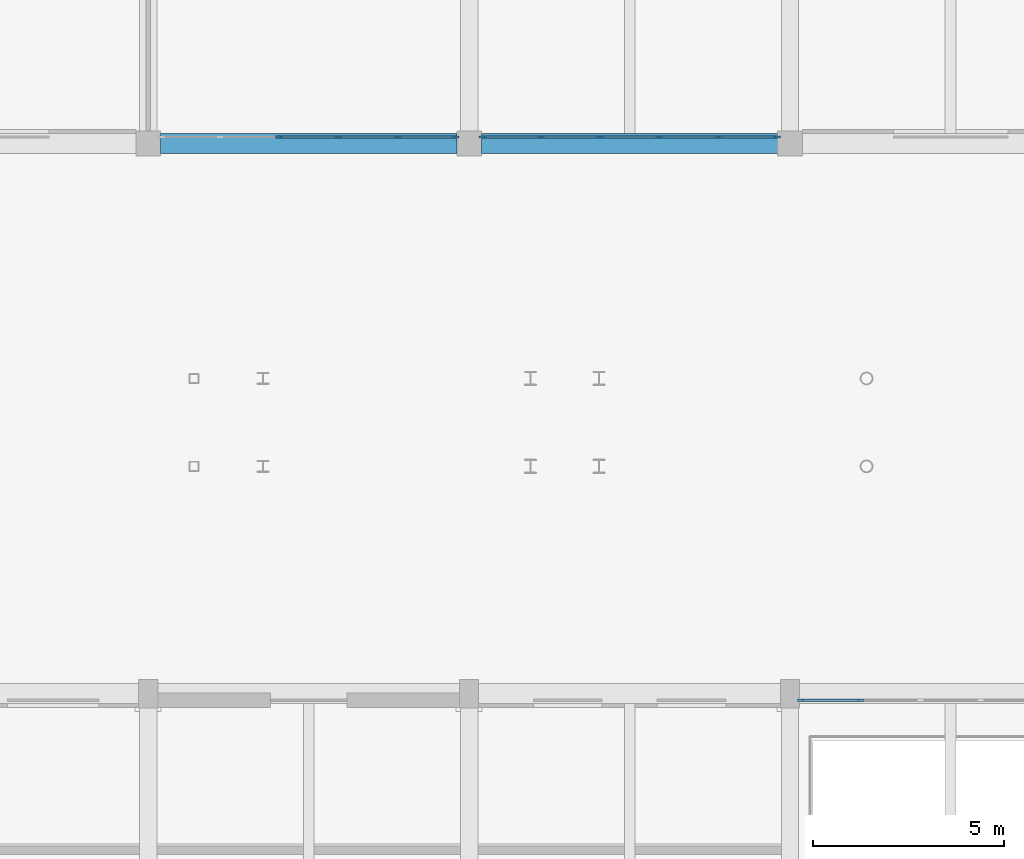
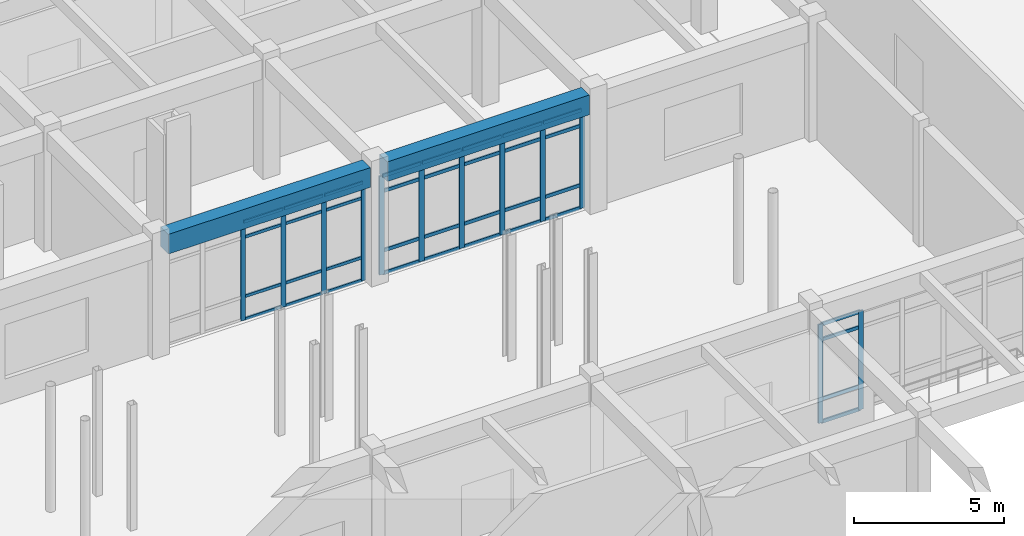
# One storey, part 53 of 121: 48 members, 2 beams, 3 elements without a shape of their own.
"""IFC4 building model written with IfcOpenShell, lengths in metres."""

from ifc_helpers import new_model, si_unit, direction, frame, origin, origin_2d, place, context, subcontext, project, spatial, rectangle, extrude, material, material_profile, profile_set, type_object, element, aggregate, save


model = new_model("IFC4")

# Units and contexts
model_context = context("Model", 3, precision=1e-05, world=origin(), true_north=direction((0.0, 1.0)))
body_context = subcontext(model_context, "Body", "Model", "MODEL_VIEW")
ifc_project = project(units=[si_unit("LENGTHUNIT", "METRE"), si_unit("AREAUNIT", "SQUARE_METRE"), si_unit("VOLUMEUNIT", "CUBIC_METRE"), si_unit("PLANEANGLEUNIT", "RADIAN"), si_unit("MASSUNIT", "GRAM", prefix="KILO")], contexts=[model_context])

# Site, building, storey
site_placement = place(None, origin())
site = spatial("IfcSite", under=ifc_project, at=site_placement, CompositionType="ELEMENT")
building_placement = place(site_placement, origin())
building = spatial("IfcBuilding", under=site, at=building_placement, Name="Malvenik Polytechnic", CompositionType="ELEMENT")
storey_placement = place(building_placement, origin())
storey = spatial("IfcBuildingStorey", under=building, at=storey_placement, Name="L00", CompositionType="ELEMENT", Elevation=0.0)

# Curtain wall, members
ifc_material_1 = material(Name="Anodised aluminium 6060-T6", Category="aluminium")
curtain_wall_type = type_object("IfcCurtainWallType", Name="ARC-CW-CW-01", PredefinedType="NOTDEFINED", material=ifc_material_1)
curtain_wall_1_placement = place(storey_placement, origin())
curtain_wall_1 = element("IfcCurtainWall", 1, at=curtain_wall_1_placement, inside=storey, type_object=curtain_wall_type, Name="Unitised Curtain Wall CW-01 L00 #19", PredefinedType="NOTDEFINED")
ifc_material_2 = material(Name="Anodised aluminium", Category="aluminium")
ifc_material_profile_1 = material_profile(ifc_material_2, rectangle(XDim=0.06005859375, YDim=0.179931640625, at=origin_2d()), Name="ALU MULLION 60x180")
ifc_profile_set_1 = profile_set([ifc_material_profile_1], Name="Anodised aluminium")
member_type_1 = type_object("IfcMemberType", Name="ARC-CWM-180", PredefinedType="MULLION", material=ifc_profile_set_1)
member_1_placement = place(storey_placement, frame((117.2470703125, 79.3701171875, 0.0), z_axis=(0.0, 0.0, 1.0), x_axis=(0.0, -1.0, 0.0)))
member_1 = element("IfcMember", 2, at=member_1_placement, type_object=member_type_1, Name="CW-01 mullion 1", PredefinedType="MULLION", context=body_context, shape_type="SweptSolid", body=[
    extrude(rectangle(XDim=0.06005859375, YDim=0.179931640625, at=origin_2d()), origin(), (0.0, 0.0, 1.0), 4.010009765625),
])
member_2_placement = place(storey_placement, frame((115.726318359375, 79.3701171875, 0.0), z_axis=(0.0, 0.0, 1.0), x_axis=(0.0, -1.0, 0.0)))
member_2 = element("IfcMember", 3, at=member_2_placement, type_object=member_type_1, Name="CW-01 mullion 2", PredefinedType="MULLION", context=body_context, shape_type="SweptSolid", body=[
    extrude(rectangle(XDim=0.06005859375, YDim=0.179931640625, at=origin_2d()), origin(), (0.0, 0.0, 1.0), 4.010009765625),
])
member_3_placement = place(storey_placement, frame((114.17529296875, 79.3701171875, 0.0), z_axis=(0.0, 0.0, 1.0), x_axis=(0.0, -1.0, 0.0)))
member_3 = element("IfcMember", 4, at=member_3_placement, type_object=member_type_1, Name="CW-01 mullion 3", PredefinedType="MULLION", context=body_context, shape_type="SweptSolid", body=[
    extrude(rectangle(XDim=0.06005859375, YDim=0.179931640625, at=origin_2d()), origin(), (0.0, 0.0, 1.0), 4.010009765625),
])
member_4_placement = place(storey_placement, frame((112.62451171875, 79.3701171875, 0.0), z_axis=(0.0, 0.0, 1.0), x_axis=(0.0, -1.0, 0.0)))
member_4 = element("IfcMember", 5, at=member_4_placement, type_object=member_type_1, Name="CW-01 mullion 4", PredefinedType="MULLION", context=body_context, shape_type="SweptSolid", body=[
    extrude(rectangle(XDim=0.06005859375, YDim=0.179931640625, at=origin_2d()), origin(), (0.0, 0.0, 1.0), 4.010009765625),
])

curtain_wall_2_placement = place(storey_placement, origin())
curtain_wall_2 = element("IfcCurtainWall", 6, at=curtain_wall_2_placement, inside=storey, type_object=curtain_wall_type, Name="Unitised Curtain Wall CW-01 L00 #22", PredefinedType="NOTDEFINED")
member_5_placement = place(storey_placement, frame((126.278076171875, 64.6298828125, 0.0), z_axis=(0.0, 0.0, 1.0), x_axis=(0.0, 1.0, 0.0)))
member_5 = element("IfcMember", 7, at=member_5_placement, type_object=member_type_1, Name="CW-01 mullion 1", PredefinedType="MULLION", context=body_context, shape_type="SweptSolid", body=[
    extrude(rectangle(XDim=0.06005859375, YDim=0.179931640625, at=origin_2d()), origin(), (0.0, 0.0, 1.0), 4.010009765625),
])
member_6_placement = place(storey_placement, frame((127.828857421875, 64.6298828125, 0.0), z_axis=(0.0, 0.0, 1.0), x_axis=(0.0, 1.0, 0.0)))
member_6 = element("IfcMember", 8, at=member_6_placement, type_object=member_type_1, Name="CW-01 mullion 2", PredefinedType="MULLION", context=body_context, shape_type="SweptSolid", body=[
    extrude(rectangle(XDim=0.06005859375, YDim=0.179931640625, at=origin_2d()), origin(), (0.0, 0.0, 1.0), 4.010009765625),
])

curtain_wall_3_placement = place(storey_placement, origin())
curtain_wall_3 = element("IfcCurtainWall", 9, at=curtain_wall_3_placement, inside=storey, type_object=curtain_wall_type, Name="Unitised Curtain Wall CW-01 L00 #18", PredefinedType="NOTDEFINED")
ifc_material_profile_2 = material_profile(ifc_material_2, rectangle(XDim=0.06005859375, YDim=0.199951171875, at=origin_2d()), Name="ALU MULLION 60x200")
ifc_profile_set_2 = profile_set([ifc_material_profile_2], Name="Anodised aluminium")
member_type_2 = type_object("IfcMemberType", Name="ARC-CWM-200", PredefinedType="MULLION", material=ifc_profile_set_2)
member_7_placement = place(storey_placement, frame((125.64697265625, 79.3701171875, 0.0), z_axis=(0.0, 0.0, 1.0), x_axis=(0.0, -1.0, 0.0)))
member_7 = element("IfcMember", 10, at=member_7_placement, type_object=member_type_2, Name="CW-01 mullion 1", PredefinedType="MULLION", context=body_context, shape_type="SweptSolid", body=[
    extrude(rectangle(XDim=0.06005859375, YDim=0.199951171875, at=origin_2d()), origin(), (0.0, 0.0, 1.0), 4.010009765625),
])
member_8_placement = place(storey_placement, frame((124.126220703125, 79.3701171875, 0.0), z_axis=(0.0, 0.0, 1.0), x_axis=(0.0, -1.0, 0.0)))
member_8 = element("IfcMember", 11, at=member_8_placement, type_object=member_type_2, Name="CW-01 mullion 2", PredefinedType="MULLION", context=body_context, shape_type="SweptSolid", body=[
    extrude(rectangle(XDim=0.06005859375, YDim=0.199951171875, at=origin_2d()), origin(), (0.0, 0.0, 1.0), 4.010009765625),
])
member_9_placement = place(storey_placement, frame((122.575439453125, 79.3701171875, 0.0), z_axis=(0.0, 0.0, 1.0), x_axis=(0.0, -1.0, 0.0)))
member_9 = element("IfcMember", 12, at=member_9_placement, type_object=member_type_2, Name="CW-01 mullion 3", PredefinedType="MULLION", context=body_context, shape_type="SweptSolid", body=[
    extrude(rectangle(XDim=0.06005859375, YDim=0.199951171875, at=origin_2d()), origin(), (0.0, 0.0, 1.0), 4.010009765625),
])
member_10_placement = place(storey_placement, frame((121.024658203125, 79.3701171875, 0.0), z_axis=(0.0, 0.0, 1.0), x_axis=(0.0, -1.0, 0.0)))
member_10 = element("IfcMember", 13, at=member_10_placement, type_object=member_type_2, Name="CW-01 mullion 4", PredefinedType="MULLION", context=body_context, shape_type="SweptSolid", body=[
    extrude(rectangle(XDim=0.06005859375, YDim=0.199951171875, at=origin_2d()), origin(), (0.0, 0.0, 1.0), 4.010009765625),
])
member_11_placement = place(storey_placement, frame((119.473876953125, 79.3701171875, 0.0), z_axis=(0.0, 0.0, 1.0), x_axis=(0.0, -1.0, 0.0)))
member_11 = element("IfcMember", 14, at=member_11_placement, type_object=member_type_2, Name="CW-01 mullion 5", PredefinedType="MULLION", context=body_context, shape_type="SweptSolid", body=[
    extrude(rectangle(XDim=0.06005859375, YDim=0.199951171875, at=origin_2d()), origin(), (0.0, 0.0, 1.0), 4.010009765625),
])
member_12_placement = place(storey_placement, frame((117.952880859375, 79.3701171875, 0.0), z_axis=(0.0, 0.0, 1.0), x_axis=(0.0, -1.0, 0.0)))
member_12 = element("IfcMember", 15, at=member_12_placement, type_object=member_type_2, Name="CW-01 mullion 6", PredefinedType="MULLION", context=body_context, shape_type="SweptSolid", body=[
    extrude(rectangle(XDim=0.06005859375, YDim=0.199951171875, at=origin_2d()), origin(), (0.0, 0.0, 1.0), 4.010009765625),
])

# Member
ifc_material_profile_3 = material_profile(ifc_material_2, rectangle(XDim=0.06005859375, YDim=0.1201171875, at=origin_2d()), Name="ALU TRANSOM 60x120")
ifc_profile_set_3 = profile_set([ifc_material_profile_3], Name="Anodised aluminium")
member_type_3 = type_object("IfcMemberType", Name="ARC-CWT-120", PredefinedType="USERDEFINED", material=ifc_profile_set_3)
member_13_placement = place(storey_placement, frame((117.217041015625, 79.3701171875, 0.030029296875), z_axis=(-1.0, 0.0, 0.0), x_axis=(0.0, -1.0, 0.0)))
member_13 = element("IfcMember", 16, at=member_13_placement, type_object=member_type_3, Name="CW-01 transom 1.1", ObjectType="TRANSOM", PredefinedType="USERDEFINED", context=body_context, shape_type="SweptSolid", body=[
    extrude(rectangle(XDim=0.06005859375, YDim=0.1201171875, at=origin_2d()), origin(), (0.0, 0.0, 1.0), 1.4609375),
])

member_14_placement = place(storey_placement, frame((117.217041015625, 79.3701171875, 0.949951171875), z_axis=(-1.0, 0.0, 0.0), x_axis=(0.0, -1.0, 0.0)))
member_14 = element("IfcMember", 17, at=member_14_placement, type_object=member_type_3, Name="CW-01 transom 1.2", ObjectType="TRANSOM", PredefinedType="USERDEFINED", context=body_context, shape_type="SweptSolid", body=[
    extrude(rectangle(XDim=0.06005859375, YDim=0.1201171875, at=origin_2d()), origin(), (0.0, 0.0, 1.0), 1.4609375),
])

member_15_placement = place(storey_placement, frame((117.217041015625, 79.3701171875, 3.360107421875), z_axis=(-1.0, 0.0, 0.0), x_axis=(0.0, -1.0, 0.0)))
member_15 = element("IfcMember", 18, at=member_15_placement, type_object=member_type_3, Name="CW-01 transom 1.3", ObjectType="TRANSOM", PredefinedType="USERDEFINED", context=body_context, shape_type="SweptSolid", body=[
    extrude(rectangle(XDim=0.06005859375, YDim=0.1201171875, at=origin_2d()), origin(), (0.0, 0.0, 1.0), 1.4609375),
])

member_16_placement = place(storey_placement, frame((117.217041015625, 79.3701171875, 3.97998046875), z_axis=(-1.0, 0.0, 0.0), x_axis=(0.0, -1.0, 0.0)))
member_16 = element("IfcMember", 19, at=member_16_placement, type_object=member_type_3, Name="CW-01 transom 1.4", ObjectType="TRANSOM", PredefinedType="USERDEFINED", context=body_context, shape_type="SweptSolid", body=[
    extrude(rectangle(XDim=0.06005859375, YDim=0.1201171875, at=origin_2d()), origin(), (0.0, 0.0, 1.0), 1.4609375),
])

member_17_placement = place(storey_placement, frame((115.6962890625, 79.3701171875, 0.030029296875), z_axis=(-1.0, 0.0, 0.0), x_axis=(0.0, -1.0, 0.0)))
member_17 = element("IfcMember", 20, at=member_17_placement, type_object=member_type_3, Name="CW-01 transom 2.1", ObjectType="TRANSOM", PredefinedType="USERDEFINED", context=body_context, shape_type="SweptSolid", body=[
    extrude(rectangle(XDim=0.06005859375, YDim=0.1201171875, at=origin_2d()), origin(), (0.0, 0.0, 1.0), 1.490966796875),
])

member_18_placement = place(storey_placement, frame((115.6962890625, 79.3701171875, 0.949951171875), z_axis=(-1.0, 0.0, 0.0), x_axis=(0.0, -1.0, 0.0)))
member_18 = element("IfcMember", 21, at=member_18_placement, type_object=member_type_3, Name="CW-01 transom 2.2", ObjectType="TRANSOM", PredefinedType="USERDEFINED", context=body_context, shape_type="SweptSolid", body=[
    extrude(rectangle(XDim=0.06005859375, YDim=0.1201171875, at=origin_2d()), origin(), (0.0, 0.0, 1.0), 1.490966796875),
])

member_19_placement = place(storey_placement, frame((115.6962890625, 79.3701171875, 3.360107421875), z_axis=(-1.0, 0.0, 0.0), x_axis=(0.0, -1.0, 0.0)))
member_19 = element("IfcMember", 22, at=member_19_placement, type_object=member_type_3, Name="CW-01 transom 2.3", ObjectType="TRANSOM", PredefinedType="USERDEFINED", context=body_context, shape_type="SweptSolid", body=[
    extrude(rectangle(XDim=0.06005859375, YDim=0.1201171875, at=origin_2d()), origin(), (0.0, 0.0, 1.0), 1.490966796875),
])

member_20_placement = place(storey_placement, frame((115.6962890625, 79.3701171875, 3.97998046875), z_axis=(-1.0, 0.0, 0.0), x_axis=(0.0, -1.0, 0.0)))
member_20 = element("IfcMember", 23, at=member_20_placement, type_object=member_type_3, Name="CW-01 transom 2.4", ObjectType="TRANSOM", PredefinedType="USERDEFINED", context=body_context, shape_type="SweptSolid", body=[
    extrude(rectangle(XDim=0.06005859375, YDim=0.1201171875, at=origin_2d()), origin(), (0.0, 0.0, 1.0), 1.490966796875),
])

member_21_placement = place(storey_placement, frame((114.1455078125, 79.3701171875, 0.030029296875), z_axis=(-1.0, 0.0, 0.0), x_axis=(0.0, -1.0, 0.0)))
member_21 = element("IfcMember", 24, at=member_21_placement, type_object=member_type_3, Name="CW-01 transom 3.1", ObjectType="TRANSOM", PredefinedType="USERDEFINED", context=body_context, shape_type="SweptSolid", body=[
    extrude(rectangle(XDim=0.06005859375, YDim=0.1201171875, at=origin_2d()), origin(), (0.0, 0.0, 1.0), 1.490966796875),
])

member_22_placement = place(storey_placement, frame((114.1455078125, 79.3701171875, 0.949951171875), z_axis=(-1.0, 0.0, 0.0), x_axis=(0.0, -1.0, 0.0)))
member_22 = element("IfcMember", 25, at=member_22_placement, type_object=member_type_3, Name="CW-01 transom 3.2", ObjectType="TRANSOM", PredefinedType="USERDEFINED", context=body_context, shape_type="SweptSolid", body=[
    extrude(rectangle(XDim=0.06005859375, YDim=0.1201171875, at=origin_2d()), origin(), (0.0, 0.0, 1.0), 1.490966796875),
])

member_23_placement = place(storey_placement, frame((114.1455078125, 79.3701171875, 3.360107421875), z_axis=(-1.0, 0.0, 0.0), x_axis=(0.0, -1.0, 0.0)))
member_23 = element("IfcMember", 26, at=member_23_placement, type_object=member_type_3, Name="CW-01 transom 3.3", ObjectType="TRANSOM", PredefinedType="USERDEFINED", context=body_context, shape_type="SweptSolid", body=[
    extrude(rectangle(XDim=0.06005859375, YDim=0.1201171875, at=origin_2d()), origin(), (0.0, 0.0, 1.0), 1.490966796875),
])

member_24_placement = place(storey_placement, frame((114.1455078125, 79.3701171875, 3.97998046875), z_axis=(-1.0, 0.0, 0.0), x_axis=(0.0, -1.0, 0.0)))
member_24 = element("IfcMember", 27, at=member_24_placement, type_object=member_type_3, Name="CW-01 transom 3.4", ObjectType="TRANSOM", PredefinedType="USERDEFINED", context=body_context, shape_type="SweptSolid", body=[
    extrude(rectangle(XDim=0.06005859375, YDim=0.1201171875, at=origin_2d()), origin(), (0.0, 0.0, 1.0), 1.490966796875),
])

aggregate(curtain_wall_1, [member_1, member_2, member_3, member_4, member_13, member_14, member_15, member_16, member_17, member_18, member_19, member_20, member_21, member_22, member_23, member_24])

ifc_material_profile_4 = material_profile(ifc_material_2, rectangle(XDim=0.06005859375, YDim=0.139892578125, at=origin_2d()), Name="ALU TRANSOM 60x140")
ifc_profile_set_4 = profile_set([ifc_material_profile_4], Name="Anodised aluminium")
member_type_4 = type_object("IfcMemberType", Name="ARC-CWT-140", PredefinedType="USERDEFINED", material=ifc_profile_set_4)
member_25_placement = place(storey_placement, frame((125.616943359375, 79.3701171875, 0.030029296875), z_axis=(-1.0, 0.0, 0.0), x_axis=(0.0, -1.0, 0.0)))
member_25 = element("IfcMember", 28, at=member_25_placement, type_object=member_type_4, Name="CW-01 transom 1.1", ObjectType="TRANSOM", PredefinedType="USERDEFINED", context=body_context, shape_type="SweptSolid", body=[
    extrude(rectangle(XDim=0.06005859375, YDim=0.139892578125, at=origin_2d()), origin(), (0.0, 0.0, 1.0), 1.460693359375),
])

member_26_placement = place(storey_placement, frame((125.616943359375, 79.3701171875, 0.949951171875), z_axis=(-1.0, 0.0, 0.0), x_axis=(0.0, -1.0, 0.0)))
member_26 = element("IfcMember", 29, at=member_26_placement, type_object=member_type_4, Name="CW-01 transom 1.2", ObjectType="TRANSOM", PredefinedType="USERDEFINED", context=body_context, shape_type="SweptSolid", body=[
    extrude(rectangle(XDim=0.06005859375, YDim=0.139892578125, at=origin_2d()), origin(), (0.0, 0.0, 1.0), 1.460693359375),
])

member_27_placement = place(storey_placement, frame((125.616943359375, 79.3701171875, 3.360107421875), z_axis=(-1.0, 0.0, 0.0), x_axis=(0.0, -1.0, 0.0)))
member_27 = element("IfcMember", 30, at=member_27_placement, type_object=member_type_4, Name="CW-01 transom 1.3", ObjectType="TRANSOM", PredefinedType="USERDEFINED", context=body_context, shape_type="SweptSolid", body=[
    extrude(rectangle(XDim=0.06005859375, YDim=0.139892578125, at=origin_2d()), origin(), (0.0, 0.0, 1.0), 1.460693359375),
])

member_28_placement = place(storey_placement, frame((125.616943359375, 79.3701171875, 3.97998046875), z_axis=(-1.0, 0.0, 0.0), x_axis=(0.0, -1.0, 0.0)))
member_28 = element("IfcMember", 31, at=member_28_placement, type_object=member_type_4, Name="CW-01 transom 1.4", ObjectType="TRANSOM", PredefinedType="USERDEFINED", context=body_context, shape_type="SweptSolid", body=[
    extrude(rectangle(XDim=0.06005859375, YDim=0.139892578125, at=origin_2d()), origin(), (0.0, 0.0, 1.0), 1.460693359375),
])

member_29_placement = place(storey_placement, frame((124.09619140625, 79.3701171875, 0.030029296875), z_axis=(-1.0, 0.0, 0.0), x_axis=(0.0, -1.0, 0.0)))
member_29 = element("IfcMember", 32, at=member_29_placement, type_object=member_type_4, Name="CW-01 transom 2.1", ObjectType="TRANSOM", PredefinedType="USERDEFINED", context=body_context, shape_type="SweptSolid", body=[
    extrude(rectangle(XDim=0.06005859375, YDim=0.139892578125, at=origin_2d()), origin(), (0.0, 0.0, 1.0), 1.49072265625),
])

member_30_placement = place(storey_placement, frame((124.09619140625, 79.3701171875, 0.949951171875), z_axis=(-1.0, 0.0, 0.0), x_axis=(0.0, -1.0, 0.0)))
member_30 = element("IfcMember", 33, at=member_30_placement, type_object=member_type_4, Name="CW-01 transom 2.2", ObjectType="TRANSOM", PredefinedType="USERDEFINED", context=body_context, shape_type="SweptSolid", body=[
    extrude(rectangle(XDim=0.06005859375, YDim=0.139892578125, at=origin_2d()), origin(), (0.0, 0.0, 1.0), 1.49072265625),
])

member_31_placement = place(storey_placement, frame((124.09619140625, 79.3701171875, 3.360107421875), z_axis=(-1.0, 0.0, 0.0), x_axis=(0.0, -1.0, 0.0)))
member_31 = element("IfcMember", 34, at=member_31_placement, type_object=member_type_4, Name="CW-01 transom 2.3", ObjectType="TRANSOM", PredefinedType="USERDEFINED", context=body_context, shape_type="SweptSolid", body=[
    extrude(rectangle(XDim=0.06005859375, YDim=0.139892578125, at=origin_2d()), origin(), (0.0, 0.0, 1.0), 1.49072265625),
])

member_32_placement = place(storey_placement, frame((124.09619140625, 79.3701171875, 3.97998046875), z_axis=(-1.0, 0.0, 0.0), x_axis=(0.0, -1.0, 0.0)))
member_32 = element("IfcMember", 35, at=member_32_placement, type_object=member_type_4, Name="CW-01 transom 2.4", ObjectType="TRANSOM", PredefinedType="USERDEFINED", context=body_context, shape_type="SweptSolid", body=[
    extrude(rectangle(XDim=0.06005859375, YDim=0.139892578125, at=origin_2d()), origin(), (0.0, 0.0, 1.0), 1.49072265625),
])

member_33_placement = place(storey_placement, frame((122.54541015625, 79.3701171875, 0.030029296875), z_axis=(-1.0, 0.0, 0.0), x_axis=(0.0, -1.0, 0.0)))
member_33 = element("IfcMember", 36, at=member_33_placement, type_object=member_type_4, Name="CW-01 transom 3.1", ObjectType="TRANSOM", PredefinedType="USERDEFINED", context=body_context, shape_type="SweptSolid", body=[
    extrude(rectangle(XDim=0.06005859375, YDim=0.139892578125, at=origin_2d()), origin(), (0.0, 0.0, 1.0), 1.49072265625),
])

member_34_placement = place(storey_placement, frame((122.54541015625, 79.3701171875, 0.949951171875), z_axis=(-1.0, 0.0, 0.0), x_axis=(0.0, -1.0, 0.0)))
member_34 = element("IfcMember", 37, at=member_34_placement, type_object=member_type_4, Name="CW-01 transom 3.2", ObjectType="TRANSOM", PredefinedType="USERDEFINED", context=body_context, shape_type="SweptSolid", body=[
    extrude(rectangle(XDim=0.06005859375, YDim=0.139892578125, at=origin_2d()), origin(), (0.0, 0.0, 1.0), 1.49072265625),
])

member_35_placement = place(storey_placement, frame((122.54541015625, 79.3701171875, 3.360107421875), z_axis=(-1.0, 0.0, 0.0), x_axis=(0.0, -1.0, 0.0)))
member_35 = element("IfcMember", 38, at=member_35_placement, type_object=member_type_4, Name="CW-01 transom 3.3", ObjectType="TRANSOM", PredefinedType="USERDEFINED", context=body_context, shape_type="SweptSolid", body=[
    extrude(rectangle(XDim=0.06005859375, YDim=0.139892578125, at=origin_2d()), origin(), (0.0, 0.0, 1.0), 1.49072265625),
])

member_36_placement = place(storey_placement, frame((122.54541015625, 79.3701171875, 3.97998046875), z_axis=(-1.0, 0.0, 0.0), x_axis=(0.0, -1.0, 0.0)))
member_36 = element("IfcMember", 39, at=member_36_placement, type_object=member_type_4, Name="CW-01 transom 3.4", ObjectType="TRANSOM", PredefinedType="USERDEFINED", context=body_context, shape_type="SweptSolid", body=[
    extrude(rectangle(XDim=0.06005859375, YDim=0.139892578125, at=origin_2d()), origin(), (0.0, 0.0, 1.0), 1.49072265625),
])

member_37_placement = place(storey_placement, frame((120.99462890625, 79.3701171875, 0.030029296875), z_axis=(-1.0, 0.0, 0.0), x_axis=(0.0, -1.0, 0.0)))
member_37 = element("IfcMember", 40, at=member_37_placement, type_object=member_type_4, Name="CW-01 transom 4.1", ObjectType="TRANSOM", PredefinedType="USERDEFINED", context=body_context, shape_type="SweptSolid", body=[
    extrude(rectangle(XDim=0.06005859375, YDim=0.139892578125, at=origin_2d()), origin(), (0.0, 0.0, 1.0), 1.49072265625),
])

member_38_placement = place(storey_placement, frame((120.99462890625, 79.3701171875, 0.949951171875), z_axis=(-1.0, 0.0, 0.0), x_axis=(0.0, -1.0, 0.0)))
member_38 = element("IfcMember", 41, at=member_38_placement, type_object=member_type_4, Name="CW-01 transom 4.2", ObjectType="TRANSOM", PredefinedType="USERDEFINED", context=body_context, shape_type="SweptSolid", body=[
    extrude(rectangle(XDim=0.06005859375, YDim=0.139892578125, at=origin_2d()), origin(), (0.0, 0.0, 1.0), 1.49072265625),
])

member_39_placement = place(storey_placement, frame((120.99462890625, 79.3701171875, 3.360107421875), z_axis=(-1.0, 0.0, 0.0), x_axis=(0.0, -1.0, 0.0)))
member_39 = element("IfcMember", 42, at=member_39_placement, type_object=member_type_4, Name="CW-01 transom 4.3", ObjectType="TRANSOM", PredefinedType="USERDEFINED", context=body_context, shape_type="SweptSolid", body=[
    extrude(rectangle(XDim=0.06005859375, YDim=0.139892578125, at=origin_2d()), origin(), (0.0, 0.0, 1.0), 1.49072265625),
])

member_40_placement = place(storey_placement, frame((120.99462890625, 79.3701171875, 3.97998046875), z_axis=(-1.0, 0.0, 0.0), x_axis=(0.0, -1.0, 0.0)))
member_40 = element("IfcMember", 43, at=member_40_placement, type_object=member_type_4, Name="CW-01 transom 4.4", ObjectType="TRANSOM", PredefinedType="USERDEFINED", context=body_context, shape_type="SweptSolid", body=[
    extrude(rectangle(XDim=0.06005859375, YDim=0.139892578125, at=origin_2d()), origin(), (0.0, 0.0, 1.0), 1.49072265625),
])

member_41_placement = place(storey_placement, frame((119.44384765625, 79.3701171875, 0.030029296875), z_axis=(-1.0, 0.0, 0.0), x_axis=(0.0, -1.0, 0.0)))
member_41 = element("IfcMember", 44, at=member_41_placement, type_object=member_type_4, Name="CW-01 transom 5.1", ObjectType="TRANSOM", PredefinedType="USERDEFINED", context=body_context, shape_type="SweptSolid", body=[
    extrude(rectangle(XDim=0.06005859375, YDim=0.139892578125, at=origin_2d()), origin(), (0.0, 0.0, 1.0), 1.4609375),
])

member_42_placement = place(storey_placement, frame((119.44384765625, 79.3701171875, 0.949951171875), z_axis=(-1.0, 0.0, 0.0), x_axis=(0.0, -1.0, 0.0)))
member_42 = element("IfcMember", 45, at=member_42_placement, type_object=member_type_4, Name="CW-01 transom 5.2", ObjectType="TRANSOM", PredefinedType="USERDEFINED", context=body_context, shape_type="SweptSolid", body=[
    extrude(rectangle(XDim=0.06005859375, YDim=0.139892578125, at=origin_2d()), origin(), (0.0, 0.0, 1.0), 1.4609375),
])

member_43_placement = place(storey_placement, frame((119.44384765625, 79.3701171875, 3.360107421875), z_axis=(-1.0, 0.0, 0.0), x_axis=(0.0, -1.0, 0.0)))
member_43 = element("IfcMember", 46, at=member_43_placement, type_object=member_type_4, Name="CW-01 transom 5.3", ObjectType="TRANSOM", PredefinedType="USERDEFINED", context=body_context, shape_type="SweptSolid", body=[
    extrude(rectangle(XDim=0.06005859375, YDim=0.139892578125, at=origin_2d()), origin(), (0.0, 0.0, 1.0), 1.4609375),
])

member_44_placement = place(storey_placement, frame((119.44384765625, 79.3701171875, 3.97998046875), z_axis=(-1.0, 0.0, 0.0), x_axis=(0.0, -1.0, 0.0)))
member_44 = element("IfcMember", 47, at=member_44_placement, type_object=member_type_4, Name="CW-01 transom 5.4", ObjectType="TRANSOM", PredefinedType="USERDEFINED", context=body_context, shape_type="SweptSolid", body=[
    extrude(rectangle(XDim=0.06005859375, YDim=0.139892578125, at=origin_2d()), origin(), (0.0, 0.0, 1.0), 1.4609375),
])

aggregate(curtain_wall_3, [member_7, member_8, member_9, member_10, member_11, member_12, member_25, member_26, member_27, member_28, member_29, member_30, member_31, member_32, member_33, member_34, member_35, member_36, member_37, member_38, member_39, member_40, member_41, member_42, member_43, member_44])

member_45_placement = place(storey_placement, frame((126.30810546875, 64.6298828125, 0.030029296875), z_axis=(1.0, 0.0, 0.0), x_axis=(0.0, 1.0, 0.0)))
member_45 = element("IfcMember", 48, at=member_45_placement, type_object=member_type_4, Name="CW-01 transom 1.1", ObjectType="TRANSOM", PredefinedType="USERDEFINED", context=body_context, shape_type="SweptSolid", body=[
    extrude(rectangle(XDim=0.06005859375, YDim=0.139892578125, at=origin_2d()), origin(), (0.0, 0.0, 1.0), 1.49072265625),
])

member_46_placement = place(storey_placement, frame((126.30810546875, 64.6298828125, 0.949951171875), z_axis=(1.0, 0.0, 0.0), x_axis=(0.0, 1.0, 0.0)))
member_46 = element("IfcMember", 49, at=member_46_placement, type_object=member_type_4, Name="CW-01 transom 1.2", ObjectType="TRANSOM", PredefinedType="USERDEFINED", context=body_context, shape_type="SweptSolid", body=[
    extrude(rectangle(XDim=0.06005859375, YDim=0.139892578125, at=origin_2d()), origin(), (0.0, 0.0, 1.0), 1.49072265625),
])

member_47_placement = place(storey_placement, frame((126.30810546875, 64.6298828125, 3.360107421875), z_axis=(1.0, 0.0, 0.0), x_axis=(0.0, 1.0, 0.0)))
member_47 = element("IfcMember", 50, at=member_47_placement, type_object=member_type_4, Name="CW-01 transom 1.3", ObjectType="TRANSOM", PredefinedType="USERDEFINED", context=body_context, shape_type="SweptSolid", body=[
    extrude(rectangle(XDim=0.06005859375, YDim=0.139892578125, at=origin_2d()), origin(), (0.0, 0.0, 1.0), 1.49072265625),
])

member_48_placement = place(storey_placement, frame((126.30810546875, 64.6298828125, 3.97998046875), z_axis=(1.0, 0.0, 0.0), x_axis=(0.0, 1.0, 0.0)))
member_48 = element("IfcMember", 51, at=member_48_placement, type_object=member_type_4, Name="CW-01 transom 1.4", ObjectType="TRANSOM", PredefinedType="USERDEFINED", context=body_context, shape_type="SweptSolid", body=[
    extrude(rectangle(XDim=0.06005859375, YDim=0.139892578125, at=origin_2d()), origin(), (0.0, 0.0, 1.0), 1.49072265625),
])

aggregate(curtain_wall_2, [member_5, member_6, member_45, member_46, member_47, member_48])

# Beams
ifc_material_3 = material(Name="Precast concrete C40/50", Category="concrete")
ifc_material_profile_5 = material_profile(ifc_material_3, rectangle(XDim=0.52001953125, YDim=0.800048828125, at=origin_2d()), Name="PC SPN 520x800")
ifc_profile_set_5 = profile_set([ifc_material_profile_5], Name="Precast concrete C40/50")
beam_type = type_object("IfcBeamType", Name="STR-BM-SP-01", PredefinedType="SPANDREL", material=ifc_profile_set_5)
beam_1_placement = place(storey_placement, frame((109.52294921875, 79.199951171875, 4.419921875), z_axis=(1.0, 0.0, 0.0), x_axis=(0.0, 1.0, 0.0)))
element("IfcBeam", 52, at=beam_1_placement, inside=storey, type_object=beam_type, Name="Primary Beam SP-01 L00 #625", PredefinedType="SPANDREL", context=body_context, shape_type="SweptSolid", body=[
    extrude(rectangle(XDim=0.52001953125, YDim=0.800048828125, at=origin_2d()), origin(), (0.0, 0.0, 1.0), 7.754150390625),
])
beam_2_placement = place(storey_placement, frame((117.923095703125, 79.199951171875, 4.419921875), z_axis=(1.0, 0.0, 0.0), x_axis=(0.0, 1.0, 0.0)))
element("IfcBeam", 53, at=beam_2_placement, inside=storey, type_object=beam_type, Name="Primary Beam SP-01 L00 #626", PredefinedType="SPANDREL", context=body_context, shape_type="SweptSolid", body=[
    extrude(rectangle(XDim=0.52001953125, YDim=0.800048828125, at=origin_2d()), origin(), (0.0, 0.0, 1.0), 7.75390625),
])

save(model, "model.ifc")
